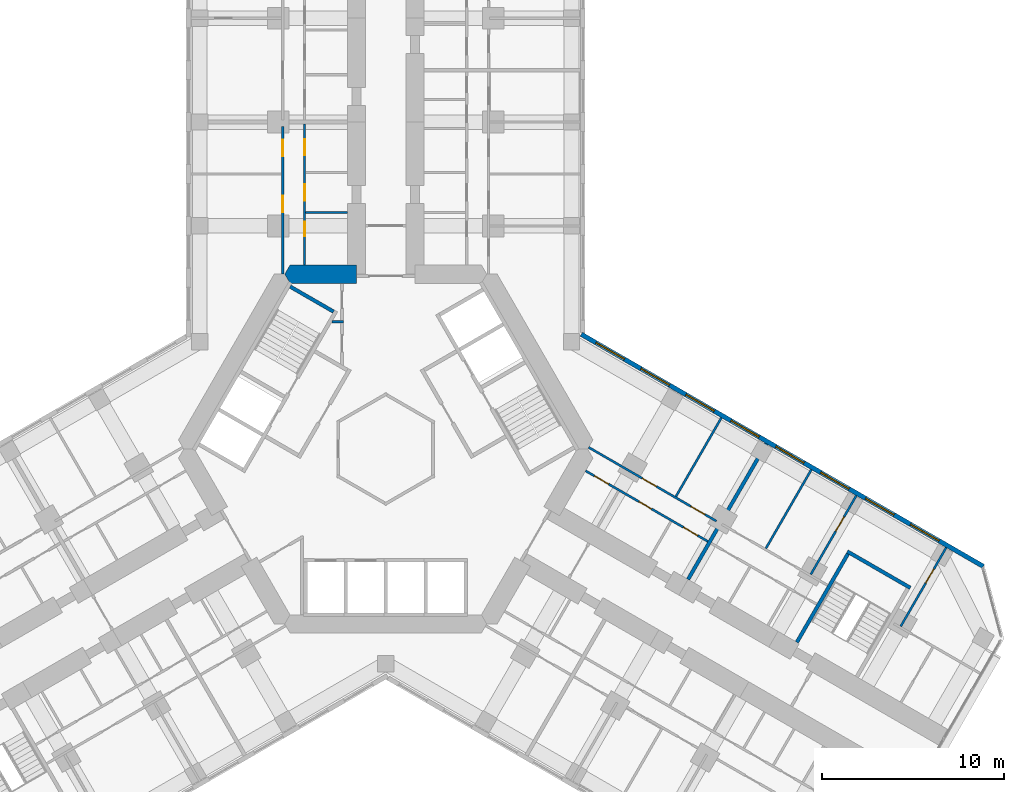
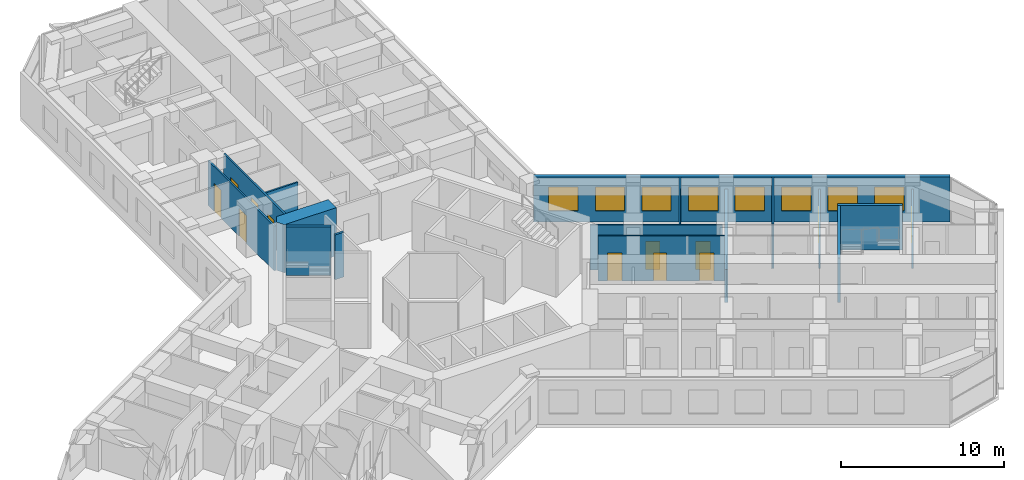
# One storey, part 16 of 21: 16 walls, 12 doors, 8 windows, 20 openings.
"""IFC4 building model written with IfcOpenShell, lengths in metres."""

from ifc_helpers import new_model, si_unit, direction, frame, frame_2d, origin, place, context, subcontext, project, spatial, polyline, rectangle, outline, extrude, material, layer, layer_set, type_object, element, fill, save


model = new_model("IFC4")

# Units and contexts
model_context = context("Model", 3, precision=1e-05, world=origin(), true_north=direction((0.0, 1.0)))
body_context = subcontext(model_context, "Body", "Model", "MODEL_VIEW")
ifc_project = project(units=[si_unit("LENGTHUNIT", "METRE"), si_unit("AREAUNIT", "SQUARE_METRE"), si_unit("VOLUMEUNIT", "CUBIC_METRE"), si_unit("PLANEANGLEUNIT", "RADIAN"), si_unit("MASSUNIT", "GRAM", prefix="KILO")], contexts=[model_context])

# Site, building, storey
site_placement = place(None, origin())
site = spatial("IfcSite", under=ifc_project, at=site_placement, CompositionType="ELEMENT")
building_placement = place(site_placement, origin())
building = spatial("IfcBuilding", under=site, at=building_placement, Name="Kosmar Iwan School Tower", CompositionType="ELEMENT")
storey_placement = place(building_placement, frame((0.0, 0.0, 84.39990234375)))
storey = spatial("IfcBuildingStorey", under=building, at=storey_placement, Name="L20", CompositionType="ELEMENT", Elevation=84.39990234375)

# Walls
ifc_material_1 = material(Name="Gypsum board on steel studs, fire-rated", Category="steel")
ifc_layer_1 = layer(ifc_material_1, 0.14990234375)
ifc_layer_set_1 = layer_set([ifc_layer_1], Name="Core room partition 150")
wall_type_1 = type_object("IfcWallType", Name="Core room partition 150", PredefinedType="PARTITIONING", material=ifc_layer_set_1)
wall_1_placement = place(storey_placement, frame((-2.324951171875, 6.985107421875, 0.0), z_axis=(0.0, 0.0, 1.0), x_axis=(-1.0, 0.0, 0.0)))
element("IfcWall", 1, at=wall_1_placement, inside=storey, type_object=wall_type_1, Name="Core room partition L20-CW2", PredefinedType="PARTITIONING", context=body_context, shape_type="SweptSolid", body=[
    extrude(rectangle(XDim=0.623779296875, YDim=0.14990234375, at=frame_2d((0.31201171875, 0.0))), origin(), (0.0, 0.0, 1.0), 3.35009765625),
])
ifc_material_2 = material(Name="Concrete C50/60", Category="concrete")
ifc_layer_2 = layer(ifc_material_2, 1.0)
ifc_layer_set_2 = layer_set([ifc_layer_2], Name="Core wall 1000")
wall_type_2 = type_object("IfcWallType", Name="Core wall 1000", PredefinedType="SHEAR", material=ifc_layer_set_2)
wall_2_placement = place(storey_placement, origin())
element("IfcWall", 2, at=wall_2_placement, inside=storey, type_object=wall_type_2, Name="Core wall F090b", PredefinedType="SHEAR", context=body_context, shape_type="SweptSolid", body=[
    extrude(outline(polyline([(-5.25390625, 9.10009765625), (-1.60009765625, 9.10009765625), (-1.60009765625, 10.10009765625), (-5.25390625, 10.10009765625), (-5.54248046875, 9.60009765625), (-5.25390625, 9.10009765625)])), origin(), (0.0, 0.0, 1.0), 3.60009765625),
])

# Wall, openings, doors
ifc_material_3 = material(Name="Gypsum board on steel studs", Category="steel")
ifc_layer_3 = layer(ifc_material_3, 0.1201171875)
ifc_layer_set_3 = layer_set([ifc_layer_3], Name="Dwelling partition 120")
wall_type_3 = type_object("IfcWallType", Name="Dwelling partition 120", PredefinedType="PARTITIONING", material=ifc_layer_set_3)
wall_3_placement = place(storey_placement, frame((-4.449951171875, 10.10009765625, 0.0), z_axis=(0.0, 0.0, 1.0), x_axis=(0.0, 1.0, 0.0)))
wall_3 = element("IfcWall", 3, at=wall_3_placement, inside=storey, type_object=wall_type_3, Name="Partition L20-AL1-W1", PredefinedType="PARTITIONING", context=body_context, shape_type="SweptSolid", body=[
    extrude(rectangle(XDim=7.75, YDim=0.1201171875, at=frame_2d((3.875, 0.0))), origin(), (0.0, 0.0, 1.0), 3.35009765625),
])
opening_1_placement = place(wall_3_placement, frame((1.590087890625, 0.0, 0.0)))
opening_1 = element("IfcOpeningElement", 4, at=opening_1_placement, cuts=wall_3, Name="Opening D3", PredefinedType="OPENING", context=body_context, shape_type="SweptSolid", body=[
    extrude(rectangle(XDim=0.800048828125, YDim=2.10009765625, at=frame_2d((0.39990234375, 1.050048828125))), frame((0.0, 0.072021484375, 0.0), z_axis=(0.0, -1.0, 0.0), x_axis=(1.0, 0.0, 0.0)), (0.0, 0.0, 1.0), 0.14404296875),
])
opening_2_placement = place(wall_3_placement, frame((3.530029296875, 0.0, 0.0)))
opening_2 = element("IfcOpeningElement", 5, at=opening_2_placement, cuts=wall_3, Name="Opening D2", PredefinedType="OPENING", context=body_context, shape_type="SweptSolid", body=[
    extrude(rectangle(XDim=0.89990234375, YDim=2.10009765625, at=frame_2d((0.449951171875, 1.050048828125))), frame((0.0, 0.072021484375, 0.0), z_axis=(0.0, -1.0, 0.0), x_axis=(1.0, 0.0, 0.0)), (0.0, 0.0, 1.0), 0.14404296875),
])
opening_3_placement = place(wall_3_placement, frame((6.014892578125, 0.0, 0.0)))
opening_3 = element("IfcOpeningElement", 6, at=opening_3_placement, cuts=wall_3, Name="Opening D2", PredefinedType="OPENING", context=body_context, shape_type="SweptSolid", body=[
    extrude(rectangle(XDim=0.89990234375, YDim=2.10009765625, at=frame_2d((0.449951171875, 1.050048828125))), frame((0.0, 0.072021484375, 0.0), z_axis=(0.0, -1.0, 0.0), x_axis=(1.0, 0.0, 0.0)), (0.0, 0.0, 1.0), 0.14404296875),
])
ifc_material_4 = material(Name="Timber door in timber frame", Category="wood")
door_type_1 = type_object("IfcDoorType", Name="Internal door 900x2100", OperationType="SINGLE_SWING_LEFT", PredefinedType="DOOR", material=ifc_material_4)
door_1_placement = place(opening_2_placement, origin())
door_1 = element("IfcDoor", 7, at=door_1_placement, inside=storey, type_object=door_type_1, Name="Entrance hall door L20-AL1-S2", OperationType="SINGLE_SWING_RIGHT", OverallHeight=2.10009765625, OverallWidth=0.89990234375, PredefinedType="DOOR", context=body_context, shape_type="SweptSolid", body=[
    extrude(rectangle(XDim=0.89990234375, YDim=2.10009765625, at=frame_2d((0.449951171875, 1.050048828125))), frame((0.0, 0.02490234375, 0.0), z_axis=(0.0, -1.0, 0.0), x_axis=(1.0, 0.0, 0.0)), (0.0, 0.0, 1.0), 0.050048828125),
])
fill(opening_2, door_1)
door_2_placement = place(opening_3_placement, origin())
door_2 = element("IfcDoor", 8, at=door_2_placement, inside=storey, type_object=door_type_1, Name="Pantry door L20-AL1-S3", OperationType="SINGLE_SWING_RIGHT", OverallHeight=2.10009765625, OverallWidth=0.89990234375, PredefinedType="DOOR", context=body_context, shape_type="SweptSolid", body=[
    extrude(rectangle(XDim=0.89990234375, YDim=2.10009765625, at=frame_2d((0.449951171875, 1.050048828125))), frame((0.0, 0.02490234375, 0.0), z_axis=(0.0, -1.0, 0.0), x_axis=(1.0, 0.0, 0.0)), (0.0, 0.0, 1.0), 0.050048828125),
])
fill(opening_3, door_2)
ifc_material_5 = material(Name="Timber door in timber frame", Category="wood")
door_type_2 = type_object("IfcDoorType", Name="Sanitary room door 800x2100", OperationType="SINGLE_SWING_LEFT", PredefinedType="DOOR", material=ifc_material_5)
door_3_placement = place(opening_1_placement, origin())
door_3 = element("IfcDoor", 9, at=door_3_placement, inside=storey, type_object=door_type_2, Name="Bathroom door L20-AL1-S1", OperationType="SINGLE_SWING_LEFT", OverallHeight=2.10009765625, OverallWidth=0.800048828125, PredefinedType="DOOR", context=body_context, shape_type="SweptSolid", body=[
    extrude(rectangle(XDim=0.800048828125, YDim=2.10009765625, at=frame_2d((0.39990234375, 1.050048828125))), frame((0.0, 0.02490234375, 0.0), z_axis=(0.0, -1.0, 0.0), x_axis=(1.0, 0.0, 0.0)), (0.0, 0.0, 1.0), 0.050048828125),
])
fill(opening_1, door_3)

wall_4_placement = place(storey_placement, frame((-5.64990234375, 9.60009765625, 0.0), z_axis=(0.0, 0.0, 1.0), x_axis=(0.0, 1.0, 0.0)))
wall_4 = element("IfcWall", 10, at=wall_4_placement, inside=storey, type_object=wall_type_3, Name="Partition L20-AL1-W2", PredefinedType="PARTITIONING", context=body_context, shape_type="SweptSolid", body=[
    extrude(rectangle(XDim=8.099853515625, YDim=0.1201171875, at=frame_2d((4.0498046875, 0.0))), origin(), (0.0, 0.0, 1.0), 3.35009765625),
])
opening_4_placement = place(wall_4_placement, frame((3.39990234375, 0.0, 0.0)))
opening_4 = element("IfcOpeningElement", 11, at=opening_4_placement, cuts=wall_4, Name="Opening D2", PredefinedType="OPENING", context=body_context, shape_type="SweptSolid", body=[
    extrude(rectangle(XDim=0.89990234375, YDim=2.10009765625, at=frame_2d((0.449951171875, 1.050048828125))), frame((0.0, 0.072021484375, 0.0), z_axis=(0.0, -1.0, 0.0), x_axis=(1.0, 0.0, 0.0)), (0.0, 0.0, 1.0), 0.14404296875),
])
opening_5_placement = place(wall_4_placement, frame((6.47509765625, 0.0, 0.0)))
opening_5 = element("IfcOpeningElement", 12, at=opening_5_placement, cuts=wall_4, Name="Opening D2", PredefinedType="OPENING", context=body_context, shape_type="SweptSolid", body=[
    extrude(rectangle(XDim=0.89990234375, YDim=2.10009765625, at=frame_2d((0.449951171875, 1.050048828125))), frame((0.0, 0.072021484375, 0.0), z_axis=(0.0, -1.0, 0.0), x_axis=(1.0, 0.0, 0.0)), (0.0, 0.0, 1.0), 0.14404296875),
])
door_4_placement = place(opening_4_placement, origin())
door_4 = element("IfcDoor", 13, at=door_4_placement, inside=storey, type_object=door_type_1, Name="Living room and kitchen door L20-AL1-F1", OperationType="SINGLE_SWING_RIGHT", OverallHeight=2.10009765625, OverallWidth=0.89990234375, PredefinedType="DOOR", context=body_context, shape_type="SweptSolid", body=[
    extrude(rectangle(XDim=0.89990234375, YDim=2.10009765625, at=frame_2d((0.449951171875, 1.050048828125))), frame((0.0, 0.02490234375, 0.0), z_axis=(0.0, -1.0, 0.0), x_axis=(1.0, 0.0, 0.0)), (0.0, 0.0, 1.0), 0.050048828125),
])
fill(opening_4, door_4)
door_5_placement = place(opening_5_placement, origin())
door_5 = element("IfcDoor", 14, at=door_5_placement, inside=storey, type_object=door_type_1, Name="Bedroom 1 door L20-AL1-F2", OperationType="SINGLE_SWING_RIGHT", OverallHeight=2.10009765625, OverallWidth=0.89990234375, PredefinedType="DOOR", context=body_context, shape_type="SweptSolid", body=[
    extrude(rectangle(XDim=0.89990234375, YDim=2.10009765625, at=frame_2d((0.449951171875, 1.050048828125))), frame((0.0, 0.02490234375, 0.0), z_axis=(0.0, -1.0, 0.0), x_axis=(1.0, 0.0, 0.0)), (0.0, 0.0, 1.0), 0.050048828125),
])
fill(opening_5, door_5)

# Wall
wall_5_placement = place(storey_placement, frame((-2.10009765625, 12.97998046875, 0.0), z_axis=(0.0, 0.0, 1.0), x_axis=(-1.0, 0.0, 0.0)))
element("IfcWall", 15, at=wall_5_placement, inside=storey, type_object=wall_type_3, Name="Partition L20-AL1-Y1", PredefinedType="PARTITIONING", context=body_context, shape_type="SweptSolid", body=[
    extrude(rectangle(XDim=2.289794921875, YDim=0.1201171875, at=frame_2d((1.14501953125, 0.0))), origin(), (0.0, 0.0, 1.0), 3.35009765625),
])

# Wall, openings, doors
wall_6_placement = place(storey_placement, frame((10.971923828125, -1.1962890625, 0.0), z_axis=(0.0, 0.0, 1.0), x_axis=(0.866024534185, -0.500001506187, 0.0)))
wall_6 = element("IfcWall", 16, at=wall_6_placement, inside=storey, type_object=wall_type_3, Name="Partition L20-CL1-W1", PredefinedType="PARTITIONING", context=body_context, shape_type="SweptSolid", body=[
    extrude(rectangle(XDim=7.75, YDim=0.1201171875, at=frame_2d((3.875, 0.0))), origin(), (0.0, 0.0, 1.0), 3.35009765625),
])
opening_6_placement = place(wall_6_placement, frame((0.56005859375, 0.0, 0.0)))
opening_6 = element("IfcOpeningElement", 17, at=opening_6_placement, cuts=wall_6, Name="Opening D2", PredefinedType="OPENING", context=body_context, shape_type="SweptSolid", body=[
    extrude(rectangle(XDim=0.89990234375, YDim=2.10009765625, at=frame_2d((0.449951171875, 1.050048828125))), frame((0.0, 0.072021484375, 0.0), z_axis=(0.0, -1.0, 0.0), x_axis=(1.0, 0.0, 0.0)), (0.0, 0.0, 1.0), 0.14404296875),
])
opening_7_placement = place(wall_6_placement, frame((3.385009765625, 0.0, 0.0)))
opening_7 = element("IfcOpeningElement", 18, at=opening_7_placement, cuts=wall_6, Name="Opening D3", PredefinedType="OPENING", context=body_context, shape_type="SweptSolid", body=[
    extrude(rectangle(XDim=0.800048828125, YDim=2.10009765625, at=frame_2d((0.39990234375, 1.050048828125))), frame((0.0, 0.072021484375, 0.0), z_axis=(0.0, -1.0, 0.0), x_axis=(1.0, 0.0, 0.0)), (0.0, 0.0, 1.0), 0.14404296875),
])
opening_8_placement = place(wall_6_placement, frame((6.199951171875, 0.0, 0.0)))
opening_8 = element("IfcOpeningElement", 19, at=opening_8_placement, cuts=wall_6, Name="Opening D2", PredefinedType="OPENING", context=body_context, shape_type="SweptSolid", body=[
    extrude(rectangle(XDim=0.89990234375, YDim=2.10009765625, at=frame_2d((0.449951171875, 1.050048828125))), frame((0.0, 0.072021484375, 0.0), z_axis=(0.0, -1.0, 0.0), x_axis=(1.0, 0.0, 0.0)), (0.0, 0.0, 1.0), 0.14404296875),
])
door_6_placement = place(opening_6_placement, origin())
door_6 = element("IfcDoor", 20, at=door_6_placement, inside=storey, type_object=door_type_1, Name="Pantry door L20-CL1-S1", OperationType="SINGLE_SWING_LEFT", OverallHeight=2.10009765625, OverallWidth=0.89990234375, PredefinedType="DOOR", context=body_context, shape_type="SweptSolid", body=[
    extrude(rectangle(XDim=0.89990234375, YDim=2.10009765625, at=frame_2d((0.449951171875, 1.050048828125))), frame((0.0, 0.02490234375, 0.0), z_axis=(0.0, -1.0, 0.0), x_axis=(1.0, 0.0, 0.0)), (0.0, 0.0, 1.0), 0.050048828125),
])
fill(opening_6, door_6)
door_7_placement = place(opening_8_placement, origin())
door_7 = element("IfcDoor", 21, at=door_7_placement, inside=storey, type_object=door_type_1, Name="Entrance hall door L20-CL1-S3", OperationType="SINGLE_SWING_RIGHT", OverallHeight=2.10009765625, OverallWidth=0.89990234375, PredefinedType="DOOR", context=body_context, shape_type="SweptSolid", body=[
    extrude(rectangle(XDim=0.89990234375, YDim=2.10009765625, at=frame_2d((0.449951171875, 1.050048828125))), frame((0.0, 0.02490234375, 0.0), z_axis=(0.0, -1.0, 0.0), x_axis=(1.0, 0.0, 0.0)), (0.0, 0.0, 1.0), 0.050048828125),
])
fill(opening_8, door_7)
door_8_placement = place(opening_7_placement, origin())
door_8 = element("IfcDoor", 22, at=door_8_placement, inside=storey, type_object=door_type_2, Name="Bathroom door L20-CL1-S2", OperationType="SINGLE_SWING_LEFT", OverallHeight=2.10009765625, OverallWidth=0.800048828125, PredefinedType="DOOR", context=body_context, shape_type="SweptSolid", body=[
    extrude(rectangle(XDim=0.800048828125, YDim=2.10009765625, at=frame_2d((0.39990234375, 1.050048828125))), frame((0.0, 0.02490234375, 0.0), z_axis=(0.0, -1.0, 0.0), x_axis=(1.0, 0.0, 0.0)), (0.0, 0.0, 1.0), 0.050048828125),
])
fill(opening_7, door_8)

wall_7_placement = place(storey_placement, frame((11.138916015625, 0.093017578125, 0.0), z_axis=(0.0, 0.0, 1.0), x_axis=(0.866017937352, -0.500012932018, 0.0)))
wall_7 = element("IfcWall", 23, at=wall_7_placement, inside=storey, type_object=wall_type_3, Name="Partition L20-CL1-W2", PredefinedType="PARTITIONING", context=body_context, shape_type="SweptSolid", body=[
    extrude(rectangle(XDim=8.099853515625, YDim=0.1201171875, at=frame_2d((4.0498046875, 0.0))), origin(), (0.0, 0.0, 1.0), 3.35009765625),
])
opening_9_placement = place(wall_7_placement, frame((3.39990234375, 0.0, 0.0)))
opening_9 = element("IfcOpeningElement", 24, at=opening_9_placement, cuts=wall_7, Name="Opening D2", PredefinedType="OPENING", context=body_context, shape_type="SweptSolid", body=[
    extrude(rectangle(XDim=0.89990234375, YDim=2.10009765625, at=frame_2d((0.449951171875, 1.050048828125))), frame((0.0, 0.072021484375, 0.0), z_axis=(0.0, -1.0, 0.0), x_axis=(1.0, 0.0, 0.0)), (0.0, 0.0, 1.0), 0.14404296875),
])
opening_10_placement = place(wall_7_placement, frame((6.47509765625, 0.0, 0.0)))
opening_10 = element("IfcOpeningElement", 25, at=opening_10_placement, cuts=wall_7, Name="Opening D2", PredefinedType="OPENING", context=body_context, shape_type="SweptSolid", body=[
    extrude(rectangle(XDim=0.89990234375, YDim=2.10009765625, at=frame_2d((0.449951171875, 1.050048828125))), frame((0.0, 0.072021484375, 0.0), z_axis=(0.0, -1.0, 0.0), x_axis=(1.0, 0.0, 0.0)), (0.0, 0.0, 1.0), 0.14404296875),
])
door_9_placement = place(opening_9_placement, origin())
door_9 = element("IfcDoor", 26, at=door_9_placement, inside=storey, type_object=door_type_1, Name="Living room and kitchen door L20-CL1-F1", OperationType="SINGLE_SWING_RIGHT", OverallHeight=2.10009765625, OverallWidth=0.89990234375, PredefinedType="DOOR", context=body_context, shape_type="SweptSolid", body=[
    extrude(rectangle(XDim=0.89990234375, YDim=2.10009765625, at=frame_2d((0.449951171875, 1.050048828125))), frame((0.0, 0.02490234375, 0.0), z_axis=(0.0, -1.0, 0.0), x_axis=(1.0, 0.0, 0.0)), (0.0, 0.0, 1.0), 0.050048828125),
])
fill(opening_9, door_9)
door_10_placement = place(opening_10_placement, origin())
door_10 = element("IfcDoor", 27, at=door_10_placement, inside=storey, type_object=door_type_1, Name="Bedroom 1 door L20-CL1-F2", OperationType="SINGLE_SWING_RIGHT", OverallHeight=2.10009765625, OverallWidth=0.89990234375, PredefinedType="DOOR", context=body_context, shape_type="SweptSolid", body=[
    extrude(rectangle(XDim=0.89990234375, YDim=2.10009765625, at=frame_2d((0.449951171875, 1.050048828125))), frame((0.0, 0.02490234375, 0.0), z_axis=(0.0, -1.0, 0.0), x_axis=(1.0, 0.0, 0.0)), (0.0, 0.0, 1.0), 0.050048828125),
])
fill(opening_10, door_10)

# Walls
wall_8_placement = place(storey_placement, frame((15.931884765625, -2.60498046875, 0.0), z_axis=(0.0, 0.0, 1.0), x_axis=(0.500011847778, 0.866018563358, 0.0)))
element("IfcWall", 28, at=wall_8_placement, inside=storey, type_object=wall_type_3, Name="Partition L20-CL1-X1", PredefinedType="PARTITIONING", context=body_context, shape_type="SweptSolid", body=[
    extrude(rectangle(XDim=4.990234375, YDim=0.1201171875, at=frame_2d((2.4951171875, 0.0))), origin(), (0.0, 0.0, 1.0), 3.35009765625),
])
wall_9_placement = place(storey_placement, frame((20.868408203125, -5.455078125, 0.0), z_axis=(0.0, 0.0, 1.0), x_axis=(0.499975153383, 0.86603974851, 0.0)))
element("IfcWall", 29, at=wall_9_placement, inside=storey, type_object=wall_type_3, Name="Partition L20-CL2-X1", PredefinedType="PARTITIONING", context=body_context, shape_type="SweptSolid", body=[
    extrude(rectangle(XDim=4.989990234375, YDim=0.1201171875, at=frame_2d((2.4951171875, 0.0))), origin(), (0.0, 0.0, 1.0), 3.35009765625),
])

# Wall, opening, door
wall_10_placement = place(storey_placement, frame((23.33642578125, -6.8798828125, 0.0), z_axis=(0.0, 0.0, 1.0), x_axis=(0.500033033937, 0.866006330792, 0.0)))
wall_10 = element("IfcWall", 30, at=wall_10_placement, inside=storey, type_object=wall_type_3, Name="Partition L20-CL2-TB", PredefinedType="PARTITIONING", context=body_context, shape_type="SweptSolid", body=[
    extrude(rectangle(XDim=4.989990234375, YDim=0.1201171875, at=frame_2d((2.4951171875, 0.0))), origin(), (0.0, 0.0, 1.0), 2.4501953125),
])
opening_11_placement = place(wall_10_placement, frame((2.739990234375, 0.0, 0.0)))
opening_11 = element("IfcOpeningElement", 31, at=opening_11_placement, cuts=wall_10, Name="Opening D2", PredefinedType="OPENING", context=body_context, shape_type="SweptSolid", body=[
    extrude(rectangle(XDim=0.89990234375, YDim=2.10009765625, at=frame_2d((0.449951171875, 1.050048828125))), frame((0.0, 0.072021484375, 0.0), z_axis=(0.0, -1.0, 0.0), x_axis=(1.0, 0.0, 0.0)), (0.0, 0.0, 1.0), 0.14404296875),
])
door_11_placement = place(opening_11_placement, origin())
door_11 = element("IfcDoor", 32, at=door_11_placement, inside=storey, type_object=door_type_1, Name="Study door L20-CL2-F2", OperationType="SINGLE_SWING_RIGHT", OverallHeight=2.10009765625, OverallWidth=0.89990234375, PredefinedType="DOOR", context=body_context, shape_type="SweptSolid", body=[
    extrude(rectangle(XDim=0.89990234375, YDim=2.10009765625, at=frame_2d((0.449951171875, 1.050048828125))), frame((0.0, 0.02490234375, 0.0), z_axis=(0.0, -1.0, 0.0), x_axis=(1.0, 0.0, 0.0)), (0.0, 0.0, 1.0), 0.050048828125),
])
fill(opening_11, door_11)

wall_11_placement = place(storey_placement, frame((28.27294921875, -9.72998046875, 0.0), z_axis=(0.0, 0.0, 1.0), x_axis=(0.499975153383, 0.86603974851, 0.0)))
wall_11 = element("IfcWall", 33, at=wall_11_placement, inside=storey, type_object=wall_type_3, Name="Partition L20-CL2-TX", PredefinedType="PARTITIONING", context=body_context, shape_type="SweptSolid", body=[
    extrude(rectangle(XDim=4.989990234375, YDim=0.1201171875, at=frame_2d((2.4951171875, 0.0))), origin(), (0.0, 0.0, 1.0), 2.4501953125),
])
opening_12_placement = place(wall_11_placement, frame((2.739990234375, 0.0, 0.0)))
opening_12 = element("IfcOpeningElement", 34, at=opening_12_placement, cuts=wall_11, Name="Opening D2", PredefinedType="OPENING", context=body_context, shape_type="SweptSolid", body=[
    extrude(rectangle(XDim=0.89990234375, YDim=2.10009765625, at=frame_2d((0.449951171875, 1.050048828125))), frame((0.0, 0.072021484375, 0.0), z_axis=(0.0, -1.0, 0.0), x_axis=(1.0, 0.0, 0.0)), (0.0, 0.0, 1.0), 0.14404296875),
])
door_12_placement = place(opening_12_placement, origin())
door_12 = element("IfcDoor", 35, at=door_12_placement, inside=storey, type_object=door_type_1, Name="Study door L20-CL2-T1", OperationType="SINGLE_SWING_RIGHT", OverallHeight=2.10009765625, OverallWidth=0.89990234375, PredefinedType="DOOR", context=body_context, shape_type="SweptSolid", body=[
    extrude(rectangle(XDim=0.89990234375, YDim=2.10009765625, at=frame_2d((0.449951171875, 1.050048828125))), frame((0.0, 0.02490234375, 0.0), z_axis=(0.0, -1.0, 0.0), x_axis=(1.0, 0.0, 0.0)), (0.0, 0.0, 1.0), 0.050048828125),
])
fill(opening_12, door_12)

# Walls
ifc_material_6 = material(Name="Concrete C35/45", Category="concrete")
ifc_layer_4 = layer(ifc_material_6, 0.199951171875)
ifc_layer_set_4 = layer_set([ifc_layer_4], Name="Escape stair wall 200")
wall_type_4 = type_object("IfcWallType", Name="Escape stair wall 200", PredefinedType="SHEAR", material=ifc_layer_set_4)
wall_12_placement = place(storey_placement, frame((22.57080078125, -10.6064453125, 0.0), z_axis=(0.0, 0.0, 1.0), x_axis=(0.499987231761, 0.866032775405, 0.0)))
element("IfcWall", 36, at=wall_12_placement, inside=storey, type_object=wall_type_4, Name="Stair WS3 wall", PredefinedType="SHEAR", context=body_context, shape_type="SweptSolid", body=[
    extrude(rectangle(XDim=5.800048828125, YDim=0.199951171875, at=frame_2d((2.89990234375, 0.0))), origin(), (0.0, 0.0, 1.0), 3.330078125),
])
wall_13_placement = place(storey_placement, frame((25.334228515625, -5.6201171875, 0.0), z_axis=(0.0, 0.0, 1.0), x_axis=(0.866026010844, -0.49999894854, 0.0)))
element("IfcWall", 37, at=wall_13_placement, inside=storey, type_object=wall_type_4, Name="Stair WS3 wall", PredefinedType="SHEAR", context=body_context, shape_type="SweptSolid", body=[
    extrude(rectangle(XDim=4.0, YDim=0.199951171875, at=frame_2d((2.0, 0.0))), origin(), (0.0, 0.0, 1.0), 3.330078125),
])

# Wall, openings, windows
ifc_material_7 = material(Name="Black aluminium rainscreen on insulated framing", Category="aluminium")
ifc_layer_5 = layer(ifc_material_7, 0.25)
ifc_layer_set_5 = layer_set([ifc_layer_5], Name="External wall rainscreen 250")
wall_type_5 = type_object("IfcWallType", Name="External wall rainscreen 250", PredefinedType="SOLIDWALL", material=ifc_layer_set_5)
wall_14_placement = place(storey_placement, frame((10.73681640625, 6.30078125, 0.0), z_axis=(0.0, 0.0, 1.0), x_axis=(0.866026390279, -0.499998291337, 0.0)))
wall_14 = element("IfcWall", 38, at=wall_14_placement, inside=storey, type_object=wall_type_5, Name="External wall CL L20", PredefinedType="SOLIDWALL", context=body_context, shape_type="SweptSolid", body=[
    extrude(rectangle(XDim=25.4873046875, YDim=0.25, at=frame_2d((12.74365234375, 0.0))), origin(), (0.0, 0.0, 1.0), 3.35009765625),
])
opening_13_placement = place(wall_14_placement, frame((0.927001953125, 0.0, 0.800048828125)))
opening_13 = element("IfcOpeningElement", 39, at=opening_13_placement, cuts=wall_14, Name="Opening W1", PredefinedType="OPENING", context=body_context, shape_type="SweptSolid", body=[
    extrude(rectangle(XDim=1.800048828125, YDim=1.800048828125, at=frame_2d((0.89990234375, 0.89990234375))), frame((0.0, 0.136962890625, 0.0), z_axis=(0.0, -1.0, 0.0), x_axis=(1.0, 0.0, 0.0)), (0.0, 0.0, 1.0), 0.27392578125),
])
opening_14_placement = place(wall_14_placement, frame((3.777099609375, 0.0, 0.800048828125)))
opening_14 = element("IfcOpeningElement", 40, at=opening_14_placement, cuts=wall_14, Name="Opening W1", PredefinedType="OPENING", context=body_context, shape_type="SweptSolid", body=[
    extrude(rectangle(XDim=1.800048828125, YDim=1.800048828125, at=frame_2d((0.89990234375, 0.89990234375))), frame((0.0, 0.136962890625, 0.0), z_axis=(0.0, -1.0, 0.0), x_axis=(1.0, 0.0, 0.0)), (0.0, 0.0, 1.0), 0.27392578125),
])
opening_15_placement = place(wall_14_placement, frame((6.626953125, 0.0, 0.800048828125)))
opening_15 = element("IfcOpeningElement", 41, at=opening_15_placement, cuts=wall_14, Name="Opening W1", PredefinedType="OPENING", context=body_context, shape_type="SweptSolid", body=[
    extrude(rectangle(XDim=1.800048828125, YDim=1.800048828125, at=frame_2d((0.89990234375, 0.89990234375))), frame((0.0, 0.136962890625, 0.0), z_axis=(0.0, -1.0, 0.0), x_axis=(1.0, 0.0, 0.0)), (0.0, 0.0, 1.0), 0.27392578125),
])
opening_16_placement = place(wall_14_placement, frame((9.47705078125, 0.0, 0.800048828125)))
opening_16 = element("IfcOpeningElement", 42, at=opening_16_placement, cuts=wall_14, Name="Opening W1", PredefinedType="OPENING", context=body_context, shape_type="SweptSolid", body=[
    extrude(rectangle(XDim=1.800048828125, YDim=1.800048828125, at=frame_2d((0.89990234375, 0.89990234375))), frame((0.0, 0.136962890625, 0.0), z_axis=(0.0, -1.0, 0.0), x_axis=(1.0, 0.0, 0.0)), (0.0, 0.0, 1.0), 0.27392578125),
])
opening_17_placement = place(wall_14_placement, frame((12.326904296875, 0.0, 0.800048828125)))
opening_17 = element("IfcOpeningElement", 43, at=opening_17_placement, cuts=wall_14, Name="Opening W1", PredefinedType="OPENING", context=body_context, shape_type="SweptSolid", body=[
    extrude(rectangle(XDim=1.800048828125, YDim=1.800048828125, at=frame_2d((0.89990234375, 0.89990234375))), frame((0.0, 0.136962890625, 0.0), z_axis=(0.0, -1.0, 0.0), x_axis=(1.0, 0.0, 0.0)), (0.0, 0.0, 1.0), 0.27392578125),
])
opening_18_placement = place(wall_14_placement, frame((15.177001953125, 0.0, 0.800048828125)))
opening_18 = element("IfcOpeningElement", 44, at=opening_18_placement, cuts=wall_14, Name="Opening W1", PredefinedType="OPENING", context=body_context, shape_type="SweptSolid", body=[
    extrude(rectangle(XDim=1.800048828125, YDim=1.800048828125, at=frame_2d((0.89990234375, 0.89990234375))), frame((0.0, 0.136962890625, 0.0), z_axis=(0.0, -1.0, 0.0), x_axis=(1.0, 0.0, 0.0)), (0.0, 0.0, 1.0), 0.27392578125),
])
opening_19_placement = place(wall_14_placement, frame((18.027099609375, 0.0, 0.800048828125)))
opening_19 = element("IfcOpeningElement", 45, at=opening_19_placement, cuts=wall_14, Name="Opening W1", PredefinedType="OPENING", context=body_context, shape_type="SweptSolid", body=[
    extrude(rectangle(XDim=1.800048828125, YDim=1.800048828125, at=frame_2d((0.89990234375, 0.89990234375))), frame((0.0, 0.136962890625, 0.0), z_axis=(0.0, -1.0, 0.0), x_axis=(1.0, 0.0, 0.0)), (0.0, 0.0, 1.0), 0.27392578125),
])
opening_20_placement = place(wall_14_placement, frame((20.876953125, 0.0, 0.800048828125)))
opening_20 = element("IfcOpeningElement", 46, at=opening_20_placement, cuts=wall_14, Name="Opening W1", PredefinedType="OPENING", context=body_context, shape_type="SweptSolid", body=[
    extrude(rectangle(XDim=1.800048828125, YDim=1.800048828125, at=frame_2d((0.89990234375, 0.89990234375))), frame((0.0, 0.136962890625, 0.0), z_axis=(0.0, -1.0, 0.0), x_axis=(1.0, 0.0, 0.0)), (0.0, 0.0, 1.0), 0.27392578125),
])
ifc_material_8 = material(Name="Black aluminium frame with dark triple glazing", Category="aluminium")
window_type = type_object("IfcWindowType", Name="Window 1800x1800", PartitioningType="SINGLE_PANEL", PredefinedType="WINDOW", material=ifc_material_8)
window_1_placement = place(opening_13_placement, origin())
window_1 = element("IfcWindow", 47, at=window_1_placement, inside=storey, type_object=window_type, Name="Window CL L20 -1", OverallHeight=1.800048828125, OverallWidth=1.800048828125, PartitioningType="SINGLE_PANEL", PredefinedType="WINDOW", context=body_context, shape_type="SweptSolid", body=[
    extrude(rectangle(XDim=1.800048828125, YDim=1.800048828125, at=frame_2d((0.89990234375, 0.89990234375))), frame((0.0, 0.030029296875, 0.0), z_axis=(0.0, -1.0, 0.0), x_axis=(1.0, 0.0, 0.0)), (0.0, 0.0, 1.0), 0.06005859375),
])
fill(opening_13, window_1)
window_2_placement = place(opening_14_placement, origin())
window_2 = element("IfcWindow", 48, at=window_2_placement, inside=storey, type_object=window_type, Name="Window CL L20 0", OverallHeight=1.800048828125, OverallWidth=1.800048828125, PartitioningType="SINGLE_PANEL", PredefinedType="WINDOW", context=body_context, shape_type="SweptSolid", body=[
    extrude(rectangle(XDim=1.800048828125, YDim=1.800048828125, at=frame_2d((0.89990234375, 0.89990234375))), frame((0.0, 0.030029296875, 0.0), z_axis=(0.0, -1.0, 0.0), x_axis=(1.0, 0.0, 0.0)), (0.0, 0.0, 1.0), 0.06005859375),
])
fill(opening_14, window_2)
window_3_placement = place(opening_15_placement, origin())
window_3 = element("IfcWindow", 49, at=window_3_placement, inside=storey, type_object=window_type, Name="Window CL L20 1", OverallHeight=1.800048828125, OverallWidth=1.800048828125, PartitioningType="SINGLE_PANEL", PredefinedType="WINDOW", context=body_context, shape_type="SweptSolid", body=[
    extrude(rectangle(XDim=1.800048828125, YDim=1.800048828125, at=frame_2d((0.89990234375, 0.89990234375))), frame((0.0, 0.030029296875, 0.0), z_axis=(0.0, -1.0, 0.0), x_axis=(1.0, 0.0, 0.0)), (0.0, 0.0, 1.0), 0.06005859375),
])
fill(opening_15, window_3)
window_4_placement = place(opening_16_placement, origin())
window_4 = element("IfcWindow", 50, at=window_4_placement, inside=storey, type_object=window_type, Name="Window CL L20 2", OverallHeight=1.800048828125, OverallWidth=1.800048828125, PartitioningType="SINGLE_PANEL", PredefinedType="WINDOW", context=body_context, shape_type="SweptSolid", body=[
    extrude(rectangle(XDim=1.800048828125, YDim=1.800048828125, at=frame_2d((0.89990234375, 0.89990234375))), frame((0.0, 0.030029296875, 0.0), z_axis=(0.0, -1.0, 0.0), x_axis=(1.0, 0.0, 0.0)), (0.0, 0.0, 1.0), 0.06005859375),
])
fill(opening_16, window_4)
window_5_placement = place(opening_17_placement, origin())
window_5 = element("IfcWindow", 51, at=window_5_placement, inside=storey, type_object=window_type, Name="Window CL L20 3", OverallHeight=1.800048828125, OverallWidth=1.800048828125, PartitioningType="SINGLE_PANEL", PredefinedType="WINDOW", context=body_context, shape_type="SweptSolid", body=[
    extrude(rectangle(XDim=1.800048828125, YDim=1.800048828125, at=frame_2d((0.89990234375, 0.89990234375))), frame((0.0, 0.030029296875, 0.0), z_axis=(0.0, -1.0, 0.0), x_axis=(1.0, 0.0, 0.0)), (0.0, 0.0, 1.0), 0.06005859375),
])
fill(opening_17, window_5)
window_6_placement = place(opening_18_placement, origin())
window_6 = element("IfcWindow", 52, at=window_6_placement, inside=storey, type_object=window_type, Name="Window CL L20 4", OverallHeight=1.800048828125, OverallWidth=1.800048828125, PartitioningType="SINGLE_PANEL", PredefinedType="WINDOW", context=body_context, shape_type="SweptSolid", body=[
    extrude(rectangle(XDim=1.800048828125, YDim=1.800048828125, at=frame_2d((0.89990234375, 0.89990234375))), frame((0.0, 0.030029296875, 0.0), z_axis=(0.0, -1.0, 0.0), x_axis=(1.0, 0.0, 0.0)), (0.0, 0.0, 1.0), 0.06005859375),
])
fill(opening_18, window_6)
window_7_placement = place(opening_19_placement, origin())
window_7 = element("IfcWindow", 53, at=window_7_placement, inside=storey, type_object=window_type, Name="Window CL L20 5", OverallHeight=1.800048828125, OverallWidth=1.800048828125, PartitioningType="SINGLE_PANEL", PredefinedType="WINDOW", context=body_context, shape_type="SweptSolid", body=[
    extrude(rectangle(XDim=1.800048828125, YDim=1.800048828125, at=frame_2d((0.89990234375, 0.89990234375))), frame((0.0, 0.030029296875, 0.0), z_axis=(0.0, -1.0, 0.0), x_axis=(1.0, 0.0, 0.0)), (0.0, 0.0, 1.0), 0.06005859375),
])
fill(opening_19, window_7)
window_8_placement = place(opening_20_placement, origin())
window_8 = element("IfcWindow", 54, at=window_8_placement, inside=storey, type_object=window_type, Name="Window CL L20 6", OverallHeight=1.800048828125, OverallWidth=1.800048828125, PartitioningType="SINGLE_PANEL", PredefinedType="WINDOW", context=body_context, shape_type="SweptSolid", body=[
    extrude(rectangle(XDim=1.800048828125, YDim=1.800048828125, at=frame_2d((0.89990234375, 0.89990234375))), frame((0.0, 0.030029296875, 0.0), z_axis=(0.0, -1.0, 0.0), x_axis=(1.0, 0.0, 0.0)), (0.0, 0.0, 1.0), 0.06005859375),
])
fill(opening_20, window_8)

# Walls
ifc_material_9 = material(Name="Concrete block masonry", Category="masonry")
ifc_layer_6 = layer(ifc_material_9, 0.199951171875)
ifc_layer_set_6 = layer_set([ifc_layer_6], Name="Party wall 200")
wall_type_6 = type_object("IfcWallType", Name="Party wall 200", PredefinedType="PARTITIONING", material=ifc_layer_set_6)
wall_15_placement = place(storey_placement, frame((16.59521484375, -7.15625, 0.0), z_axis=(0.0, 0.0, 1.0), x_axis=(0.500007509209, 0.866021068297, 0.0)))
element("IfcWall", 55, at=wall_15_placement, inside=storey, type_object=wall_type_6, Name="Partition L20-CL2-PW", PredefinedType="PARTITIONING", context=body_context, shape_type="SweptSolid", body=[
    extrude(rectangle(XDim=8.599853515625, YDim=0.199951171875, at=frame_2d((4.2998046875, 0.0))), origin(), (0.0, 0.0, 1.0), 2.4501953125),
])
ifc_material_10 = material(Name="Concrete C50/60", Category="concrete")
ifc_layer_7 = layer(ifc_material_10, 0.199951171875)
ifc_layer_set_7 = layer_set([ifc_layer_7], Name="Stair enclosure wall 200")
wall_type_7 = type_object("IfcWallType", Name="Stair enclosure wall 200", PredefinedType="SHEAR", material=ifc_layer_set_7)
wall_16_placement = place(storey_placement, frame((-2.862548828125, 7.541748046875, 0.0), z_axis=(0.0, 0.0, 1.0), x_axis=(-0.866027397988, 0.499996545922, 0.0)))
element("IfcWall", 56, at=wall_16_placement, inside=storey, type_object=wall_type_7, Name="Stair ST2 wall", PredefinedType="SHEAR", context=body_context, shape_type="SweptSolid", body=[
    extrude(rectangle(XDim=2.75, YDim=0.199951171875, at=frame_2d((1.375, 0.0))), origin(), (0.0, 0.0, 1.0), 3.60009765625),
])

save(model, "model.ifc")
